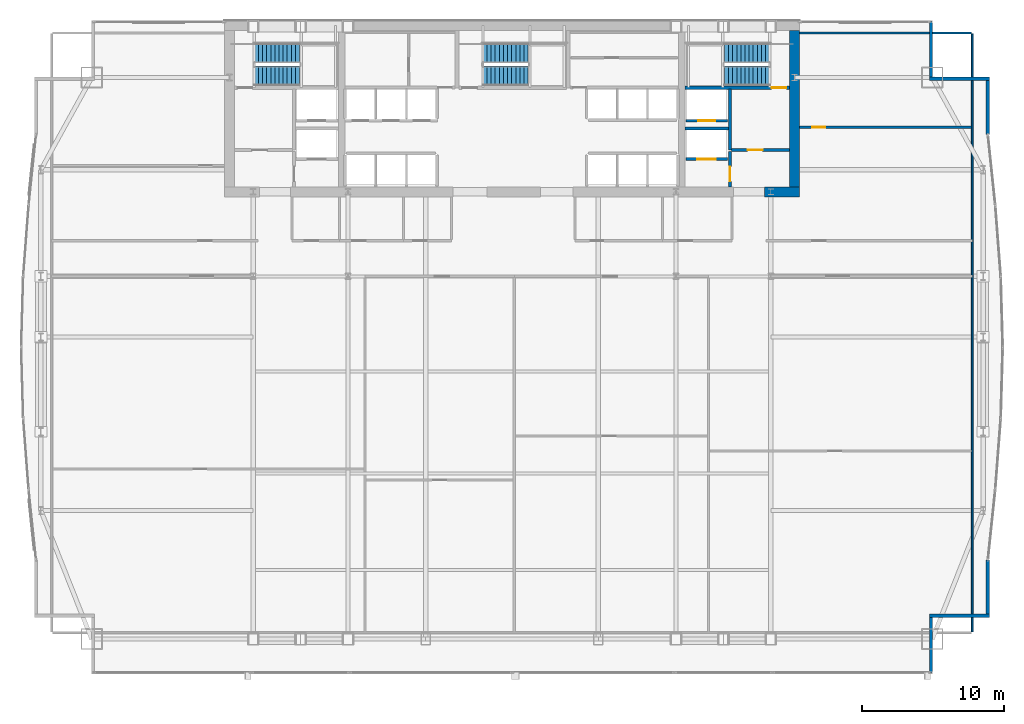
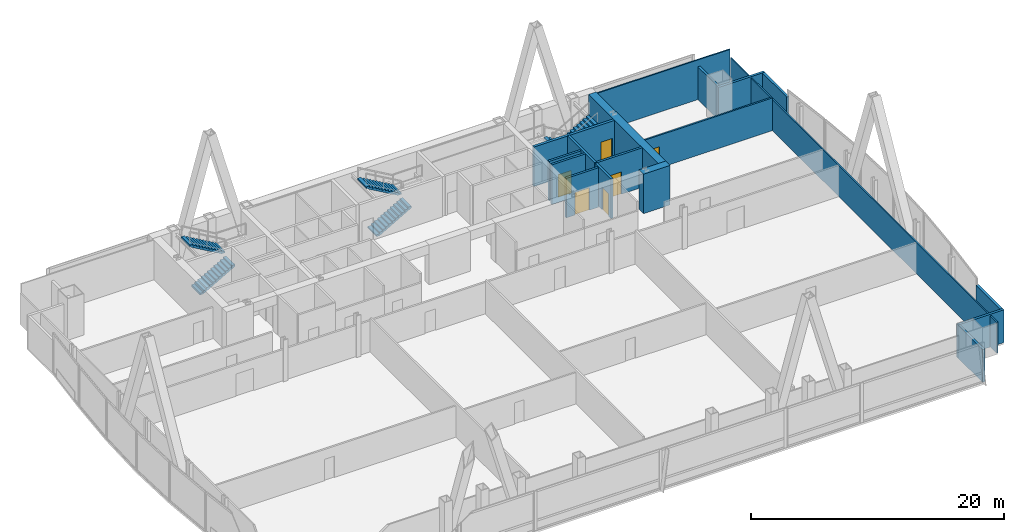
# One storey, part 30 of 32: 18 walls, 6 doors, 6 stair flights, 6 openings, 3 elements without a shape of their own.
"""IFC4 building model written with IfcOpenShell, lengths in metres."""

from ifc_helpers import new_model, si_unit, direction, frame, frame_2d, origin, place, context, subcontext, project, spatial, polyline, rectangle, outline, extrude, material, layer, layer_set, type_object, element, fill, aggregate, save


model = new_model("IFC4")

# Units and contexts
model_context = context("Model", 3, precision=1e-05, world=origin(), true_north=direction((0.0, 1.0)))
body_context = subcontext(model_context, "Body", "Model", "MODEL_VIEW")
ifc_project = project(units=[si_unit("LENGTHUNIT", "METRE"), si_unit("AREAUNIT", "SQUARE_METRE"), si_unit("VOLUMEUNIT", "CUBIC_METRE"), si_unit("PLANEANGLEUNIT", "RADIAN"), si_unit("MASSUNIT", "GRAM", prefix="KILO")], contexts=[model_context])

# Site, building, storey
site_placement = place(None, origin())
site = spatial("IfcSite", under=ifc_project, at=site_placement, CompositionType="ELEMENT")
building_placement = place(site_placement, origin())
building = spatial("IfcBuilding", under=site, at=building_placement, Name="Khoronbel Lancet Exchange", CompositionType="ELEMENT")
storey_placement = place(building_placement, frame((0.0, 0.0, 94.60009765625)))
storey = spatial("IfcBuildingStorey", under=building, at=storey_placement, Name="L22", CompositionType="ELEMENT", Elevation=94.60009765625)

# Walls
ifc_material_1 = material(Name="Concrete C80/95", Category="concrete")
ifc_layer_1 = layer(ifc_material_1, 0.699951171875, Name="Concrete C80/95")
ifc_layer_set_1 = layer_set([ifc_layer_1], Name="Concrete C80/95")
wall_type_1 = type_object("IfcWallType", Name="WL-CW2", PredefinedType="SHEAR", material=ifc_layer_set_1)
wall_1_placement = place(storey_placement, frame((56.35009765625, 53.0, 0.0), z_axis=(0.0, 0.0, 1.0), x_axis=(0.0, -1.0, 0.0)))
element("IfcWall", 1, at=wall_1_placement, inside=storey, type_object=wall_type_1, Name="Level L22 rear core east shear wall", PredefinedType="SHEAR", context=body_context, shape_type="SweptSolid", body=[
    extrude(rectangle(XDim=11.0, YDim=0.699951171875, at=frame_2d((5.5, 0.0))), origin(), (0.0, 0.0, 1.0), 3.81982421875),
])
wall_2_placement = place(storey_placement, frame((56.699951171875, 41.64990234375, 0.0), z_axis=(0.0, 0.0, 1.0), x_axis=(-1.0, 0.0, 0.0)))
element("IfcWall", 2, at=wall_2_placement, inside=storey, type_object=wall_type_1, Name="Level L22 rear core south shear wall pier P5", PredefinedType="SHEAR", context=body_context, shape_type="SweptSolid", body=[
    extrude(rectangle(XDim=2.449951171875, YDim=0.699951171875, at=frame_2d((1.22509765625, 0.0))), origin(), (0.0, 0.0, 1.0), 3.81982421875),
])
ifc_material_2 = material(Name="Precast concrete C40/50", Category="concrete")
ifc_layer_2 = layer(ifc_material_2, 0.25, Name="Precast concrete C40/50")
ifc_layer_set_2 = layer_set([ifc_layer_2], Name="Precast concrete C40/50")
wall_type_2 = type_object("IfcWallType", Name="WL-EXT250", PredefinedType="SOLIDWALL", material=ifc_layer_set_2)
wall_3_placement = place(storey_placement, frame((65.9599609375, 53.6298828125, 0.0), z_axis=(0.0, 0.0, 1.0), x_axis=(0.0, -1.0, 0.0)))
element("IfcWall", 3, at=wall_3_placement, inside=storey, type_object=wall_type_2, Name="Level L22 notched-corner limestone pier 14", PredefinedType="SOLIDWALL", context=body_context, shape_type="SweptSolid", body=[
    extrude(rectangle(XDim=3.909912109375, YDim=0.219970703125, at=frame_2d((1.955078125, 0.0))), origin(), (0.0, 0.0, 1.0), 3.159912109375),
])
wall_4_placement = place(storey_placement, frame((65.85009765625, 49.610107421875, 0.0), z_axis=(0.0, 0.0, 1.0), x_axis=(1.0, 0.0, 0.0)))
element("IfcWall", 4, at=wall_4_placement, inside=storey, type_object=wall_type_2, Name="Level L22 notched-corner limestone pier 15", PredefinedType="SOLIDWALL", context=body_context, shape_type="SweptSolid", body=[
    extrude(rectangle(XDim=4.219970703125, YDim=0.219970703125, at=frame_2d((2.10986328125, 0.0))), origin(), (0.0, 0.0, 1.0), 3.159912109375),
])
for number, where, z_axis, x_axis, name in (
    (5, (69.9599609375, 49.5, 0.0), (0.0, 0.0, 1.0), (0.0, -1.0, 0.0), "Level L22 notched-corner limestone pier 16"),
    (6, (69.9599609375, 15.724609375, 0.0), (0.0, 0.0, 1.0), (0.0, -1.0, 0.0), "Level L22 notched-corner limestone pier 23"),
):
    element("IfcWall", number, at=place(storey_placement, frame(where, z_axis=z_axis, x_axis=x_axis)), inside=storey, type_object=wall_type_2, Name=name, PredefinedType="SOLIDWALL", context=body_context, shape_type="SweptSolid", body=[
        extrude(rectangle(XDim=3.82470703125, YDim=0.219970703125, at=frame_2d((1.912353515625, 0.0))), origin(), (0.0, 0.0, 1.0), 3.159912109375),
    ])
wall_5_placement = place(storey_placement, frame((70.070068359375, 11.7900390625, 0.0), z_axis=(0.0, 0.0, 1.0), x_axis=(-1.0, 0.0, 0.0)))
element("IfcWall", 7, at=wall_5_placement, inside=storey, type_object=wall_type_2, Name="Level L22 notched-corner limestone pier 24", PredefinedType="SOLIDWALL", context=body_context, shape_type="SweptSolid", body=[
    extrude(rectangle(XDim=4.219970703125, YDim=0.219970703125, at=frame_2d((2.10986328125, 0.0))), origin(), (0.0, 0.0, 1.0), 3.159912109375),
])
wall_6_placement = place(storey_placement, frame((65.9599609375, 11.679931640625, 0.0), z_axis=(0.0, 0.0, 1.0), x_axis=(0.0, -1.0, 0.0)))
element("IfcWall", 8, at=wall_6_placement, inside=storey, type_object=wall_type_2, Name="Level L22 notched-corner limestone pier 25", PredefinedType="SOLIDWALL", context=body_context, shape_type="SweptSolid", body=[
    extrude(rectangle(XDim=3.909912109375, YDim=0.219970703125, at=frame_2d((1.955078125, 0.0))), origin(), (0.0, 0.0, 1.0), 3.159912109375),
])

# Wall, opening, door
ifc_material_3 = material(Name="Acoustic Metal-Stud & Mineral-Wool Gypsum Partition 120 mm", Category="gypsum")
ifc_layer_3 = layer(ifc_material_3, 0.1201171875, Name="Acoustic Metal-Stud & Mineral-Wool Gypsum Partition 120 mm")
ifc_layer_set_3 = layer_set([ifc_layer_3], Name="Acoustic Metal-Stud & Mineral-Wool Gypsum Partition 120 mm")
wall_type_3 = type_object("IfcWallType", Name="WL-PRT120", PredefinedType="PARTITIONING", material=ifc_layer_set_3)
wall_7_placement = place(storey_placement, frame((56.699951171875, 46.199951171875, 0.0), z_axis=(0.0, 0.0, 1.0), x_axis=(1.0, 0.0, 0.0)))
wall_7 = element("IfcWall", 9, at=wall_7_placement, inside=storey, type_object=wall_type_3, Name="Level L22 interior partition PW-NE-H", PredefinedType="PARTITIONING", context=body_context, shape_type="SweptSolid", body=[
    extrude(rectangle(XDim=12.10498046875, YDim=0.14990234375, at=frame_2d((6.052490234375, 0.0))), origin(), (0.0, 0.0, 1.0), 3.159912109375),
])
opening_1_placement = place(wall_7_placement, frame((0.89990234375, 0.0, 0.0)))
opening_1 = element("IfcOpeningElement", 10, at=opening_1_placement, cuts=wall_7, Name="Opening D5", PredefinedType="OPENING", context=body_context, shape_type="SweptSolid", body=[
    extrude(rectangle(XDim=0.89990234375, YDim=2.050048828125, at=frame_2d((0.449951171875, 1.02490234375))), frame((0.0, 0.0849609375, 0.0), z_axis=(0.0, -1.0, 0.0), x_axis=(1.0, 0.0, 0.0)), (0.0, 0.0, 1.0), 0.169921875),
])
ifc_material_4 = material(Name="Acoustic Timber Pantry & Support Door", Category="wood")
door_type_1 = type_object("IfcDoorType", Name="DR-D5", OperationType="NOTDEFINED", PredefinedType="DOOR", material=ifc_material_4)
door_1_placement = place(opening_1_placement, origin())
door_1 = element("IfcDoor", 11, at=door_1_placement, inside=storey, type_object=door_type_1, Name="NE north room door L22-1", OperationType="SINGLE_SWING_LEFT", OverallHeight=2.050048828125, OverallWidth=0.89990234375, PredefinedType="DOOR", context=body_context, shape_type="SweptSolid", body=[
    extrude(rectangle(XDim=0.89990234375, YDim=2.050048828125, at=frame_2d((0.449951171875, 1.02490234375))), frame((0.0, 0.02490234375, 0.0), z_axis=(0.0, -1.0, 0.0), x_axis=(1.0, 0.0, 0.0)), (0.0, 0.0, 1.0), 0.050048828125),
])
fill(opening_1, door_1)

# Walls
wall_8_placement = place(storey_placement, frame((68.8701171875, 10.6650390625, 0.0), z_axis=(0.0, 0.0, 1.0), x_axis=(0.0, 1.0, 0.0)))
element("IfcWall", 12, at=wall_8_placement, inside=storey, type_object=wall_type_3, Name="Level L22 interior partition PW-LIN-E", PredefinedType="PARTITIONING", context=body_context, shape_type="SweptSolid", body=[
    extrude(rectangle(XDim=42.10986328125, YDim=0.1201171875, at=frame_2d((21.054931640625, 0.0))), origin(), (0.0, 0.0, 1.0), 3.010009765625),
])
wall_9_placement = place(storey_placement, frame((56.699951171875, 52.840087890625, 0.0), z_axis=(0.0, 0.0, 1.0), x_axis=(1.0, 0.0, 0.0)))
element("IfcWall", 13, at=wall_9_placement, inside=storey, type_object=wall_type_3, Name="Level L22 interior partition PW-LIN-NE", PredefinedType="PARTITIONING", context=body_context, shape_type="SweptSolid", body=[
    extrude(rectangle(XDim=12.10498046875, YDim=0.1201171875, at=frame_2d((6.052490234375, 0.0))), origin(), (0.0, 0.0, 1.0), 3.81982421875),
])

# Wall, opening, door
ifc_material_5 = material(Name="Autoclaved Aerated Concrete Blockwork 200 mm", Category="masonry")
ifc_layer_4 = layer(ifc_material_5, 0.199951171875, Name="Autoclaved Aerated Concrete Blockwork 200 mm")
ifc_layer_set_4 = layer_set([ifc_layer_4], Name="Autoclaved Aerated Concrete Blockwork 200 mm")
wall_type_4 = type_object("IfcWallType", Name="WL-PRT200", PredefinedType="PARTITIONING", material=ifc_layer_set_4)
wall_10_placement = place(storey_placement, frame((51.610107421875, 43.949951171875, 0.0), z_axis=(0.0, 0.0, 1.0), x_axis=(-1.0, 0.0, 0.0)))
wall_10 = element("IfcWall", 14, at=wall_10_placement, inside=storey, type_object=wall_type_4, Name="Level L22 elevator hoistway landing front wall SVLE", PredefinedType="PARTITIONING", context=body_context, shape_type="SweptSolid", body=[
    extrude(rectangle(XDim=2.920166015625, YDim=0.199951171875, at=frame_2d((1.4599609375, 0.0))), origin(), (0.0, 0.0, 1.0), 3.81982421875),
])
opening_2_placement = place(wall_10_placement, frame((0.81005859375, 0.0, 0.0)))
opening_2 = element("IfcOpeningElement", 15, at=opening_2_placement, cuts=wall_10, Name="Opening LD-SVL2", PredefinedType="OPENING", context=body_context, shape_type="SweptSolid", body=[
    extrude(rectangle(XDim=1.300048828125, YDim=2.179931640625, at=frame_2d((0.64990234375, 1.08984375))), frame((0.0, 0.10986328125, 0.0), z_axis=(0.0, -1.0, 0.0), x_axis=(1.0, 0.0, 0.0)), (0.0, 0.0, 1.0), 0.219970703125),
])
ifc_material_6 = material(Name="Heavy-Duty Bi-Parting Goods Lift Landing Door", Category="steel")
door_type_2 = type_object("IfcDoorType", Name="DR-LD-SVL", OperationType="NOTDEFINED", PredefinedType="DOOR", material=ifc_material_6)
door_2_placement = place(opening_2_placement, origin())
door_2 = element("IfcDoor", 16, at=door_2_placement, inside=storey, type_object=door_type_2, Name="Elevator landing sliding door LD-SVL2 L22", OperationType="SLIDING_TO_LEFT", OverallHeight=2.179931640625, OverallWidth=1.300048828125, PredefinedType="DOOR", context=body_context, shape_type="SweptSolid", body=[
    extrude(rectangle(XDim=1.300048828125, YDim=2.179931640625, at=frame_2d((0.64990234375, 1.08984375))), frame((0.0, 0.02490234375, 0.0), z_axis=(0.0, -1.0, 0.0), x_axis=(1.0, 0.0, 0.0)), (0.0, 0.0, 1.0), 0.050048828125),
])
fill(opening_2, door_2)

wall_11_placement = place(storey_placement, frame((51.610107421875, 46.64990234375, 0.0), z_axis=(0.0, 0.0, 1.0), x_axis=(-1.0, 0.0, 0.0)))
wall_11 = element("IfcWall", 17, at=wall_11_placement, inside=storey, type_object=wall_type_4, Name="Level L22 elevator hoistway landing front wall FFLE", PredefinedType="PARTITIONING", context=body_context, shape_type="SweptSolid", body=[
    extrude(rectangle(XDim=2.920166015625, YDim=0.199951171875, at=frame_2d((1.4599609375, 0.0))), origin(), (0.0, 0.0, 1.0), 3.81982421875),
])
opening_3_placement = place(wall_11_placement, frame((0.860107421875, 0.0, 0.0)))
opening_3 = element("IfcOpeningElement", 18, at=opening_3_placement, cuts=wall_11, Name="Opening LD-FFL2", PredefinedType="OPENING", context=body_context, shape_type="SweptSolid", body=[
    extrude(rectangle(XDim=1.199951171875, YDim=2.179931640625, at=frame_2d((0.60009765625, 1.08984375))), frame((0.0, 0.10986328125, 0.0), z_axis=(0.0, -1.0, 0.0), x_axis=(1.0, 0.0, 0.0)), (0.0, 0.0, 1.0), 0.219970703125),
])
ifc_material_7 = material(Name="Fire-Rated Stainless Bi-Parting Firefighting Lift Door", Category="steel")
door_type_3 = type_object("IfcDoorType", Name="DR-LD-FFL", OperationType="NOTDEFINED", PredefinedType="DOOR", material=ifc_material_7)
door_3_placement = place(opening_3_placement, origin())
door_3 = element("IfcDoor", 19, at=door_3_placement, inside=storey, type_object=door_type_3, Name="Elevator landing sliding door LD-FFL2 L22", OperationType="SLIDING_TO_LEFT", OverallHeight=2.179931640625, OverallWidth=1.199951171875, PredefinedType="DOOR", context=body_context, shape_type="SweptSolid", body=[
    extrude(rectangle(XDim=1.199951171875, YDim=2.179931640625, at=frame_2d((0.60009765625, 1.08984375))), frame((0.0, 0.02490234375, 0.0), z_axis=(0.0, -1.0, 0.0), x_axis=(1.0, 0.0, 0.0)), (0.0, 0.0, 1.0), 0.050048828125),
])
fill(opening_3, door_3)

# Wall
wall_12_placement = place(storey_placement, frame((51.800048828125, 44.60009765625, 0.0), z_axis=(0.0, 0.0, 1.0), x_axis=(0.0, 1.0, 0.0)))
element("IfcWall", 20, at=wall_12_placement, inside=storey, type_object=wall_type_4, Name="Level L22 interior partition CW-FFLE-W", PredefinedType="PARTITIONING", context=body_context, shape_type="SweptSolid", body=[
    extrude(rectangle(XDim=4.2998046875, YDim=0.199951171875, at=frame_2d((2.14990234375, 0.0))), origin(), (0.0, 0.0, 1.0), 3.81982421875),
])

# Wall, opening, door
wall_13_placement = place(storey_placement, frame((51.89990234375, 44.60009765625, 0.0), z_axis=(0.0, 0.0, 1.0), x_axis=(1.0, 0.0, 0.0)))
wall_13 = element("IfcWall", 21, at=wall_13_placement, inside=storey, type_object=wall_type_4, Name="Level L22 interior partition CW-FFLE-S", PredefinedType="PARTITIONING", context=body_context, shape_type="SweptSolid", body=[
    extrude(rectangle(XDim=4.10009765625, YDim=0.199951171875, at=frame_2d((2.050048828125, 0.0))), origin(), (0.0, 0.0, 1.0), 3.81982421875),
])
opening_4_placement = place(wall_13_placement, frame((1.14990234375, 0.0, 0.0)))
opening_4 = element("IfcOpeningElement", 22, at=opening_4_placement, cuts=wall_13, Name="Opening FD1", PredefinedType="OPENING", context=body_context, shape_type="SweptSolid", body=[
    extrude(rectangle(XDim=1.050048828125, YDim=2.14990234375, at=frame_2d((0.52490234375, 1.074951171875))), frame((0.0, 0.10986328125, 0.0), z_axis=(0.0, -1.0, 0.0), x_axis=(1.0, 0.0, 0.0)), (0.0, 0.0, 1.0), 0.219970703125),
])
ifc_material_8 = material(Name="Fire-Rated Painted Steel Door Assembly", Category="steel")
door_type_4 = type_object("IfcDoorType", Name="DR-FD1", OperationType="NOTDEFINED", PredefinedType="DOOR", material=ifc_material_8)
door_4_placement = place(opening_4_placement, origin())
door_4 = element("IfcDoor", 23, at=door_4_placement, inside=storey, type_object=door_type_4, Name="East firefighting lobby FD90S door L22-1", OperationType="SINGLE_SWING_LEFT", OverallHeight=2.14990234375, OverallWidth=1.050048828125, PredefinedType="DOOR", context=body_context, shape_type="SweptSolid", body=[
    extrude(rectangle(XDim=1.050048828125, YDim=2.14990234375, at=frame_2d((0.52490234375, 1.074951171875))), frame((0.0, 0.02490234375, 0.0), z_axis=(0.0, -1.0, 0.0), x_axis=(1.0, 0.0, 0.0)), (0.0, 0.0, 1.0), 0.050048828125),
])
fill(opening_4, door_4)

# Wall
wall_14_placement = place(storey_placement, frame((48.6298828125, 46.1201171875, 0.0), z_axis=(0.0, 0.0, 1.0), x_axis=(1.0, 0.0, 0.0)))
element("IfcWall", 24, at=wall_14_placement, inside=storey, type_object=wall_type_4, Name="Level L22 interior partition CW-FFL2-S", PredefinedType="PARTITIONING", context=body_context, shape_type="SweptSolid", body=[
    extrude(rectangle(XDim=3.070068359375, YDim=0.199951171875, at=frame_2d((1.53515625, 0.0))), origin(), (0.0, 0.0, 1.0), 3.81982421875),
])

# Wall, opening, door
wall_15_placement = place(storey_placement, frame((51.800048828125, 42.0, 0.0), z_axis=(0.0, 0.0, 1.0), x_axis=(0.0, 1.0, 0.0)))
wall_15 = element("IfcWall", 25, at=wall_15_placement, inside=storey, type_object=wall_type_4, Name="Level L22 interior partition CW-SVLE-E", PredefinedType="PARTITIONING", context=body_context, shape_type="SweptSolid", body=[
    extrude(rectangle(XDim=2.4951171875, YDim=0.199951171875, at=frame_2d((1.24755859375, 0.0))), origin(), (0.0, 0.0, 1.0), 3.81982421875),
])
opening_5_placement = place(wall_15_placement, frame((0.3798828125, 0.0, 0.0)))
opening_5 = element("IfcOpeningElement", 26, at=opening_5_placement, cuts=wall_15, Name="Opening FD1", PredefinedType="OPENING", context=body_context, shape_type="SweptSolid", body=[
    extrude(rectangle(XDim=1.050048828125, YDim=2.14990234375, at=frame_2d((0.52490234375, 1.074951171875))), frame((0.0, 0.10986328125, 0.0), z_axis=(0.0, -1.0, 0.0), x_axis=(1.0, 0.0, 0.0)), (0.0, 0.0, 1.0), 0.219970703125),
])
door_5_placement = place(opening_5_placement, origin())
door_5 = element("IfcDoor", 27, at=door_5_placement, inside=storey, type_object=door_type_4, Name="East service lift lobby door L22-1", OperationType="SINGLE_SWING_RIGHT", OverallHeight=2.14990234375, OverallWidth=1.050048828125, PredefinedType="DOOR", context=body_context, shape_type="SweptSolid", body=[
    extrude(rectangle(XDim=1.050048828125, YDim=2.14990234375, at=frame_2d((0.52490234375, 1.074951171875))), frame((0.0, 0.02490234375, 0.0), z_axis=(0.0, -1.0, 0.0), x_axis=(1.0, 0.0, 0.0)), (0.0, 0.0, 1.0), 0.050048828125),
])
fill(opening_5, door_5)

ifc_material_9 = material(Name="Concrete C60/75", Category="concrete")
ifc_layer_5 = layer(ifc_material_9, 0.260009765625, Name="Concrete C60/75")
ifc_layer_set_5 = layer_set([ifc_layer_5], Name="Concrete C60/75")
wall_type_5 = type_object("IfcWallType", Name="WL-SW3", PredefinedType="SHEAR", material=ifc_layer_set_5)
wall_16_placement = place(storey_placement, frame((48.6298828125, 48.97998046875, 0.0), z_axis=(0.0, 0.0, 1.0), x_axis=(1.0, 0.0, 0.0)))
wall_16 = element("IfcWall", 28, at=wall_16_placement, inside=storey, type_object=wall_type_5, Name="Level L22 east stairwell structural south wall", PredefinedType="SHEAR", context=body_context, shape_type="SweptSolid", body=[
    extrude(rectangle(XDim=7.3701171875, YDim=0.239990234375, at=frame_2d((3.68505859375, 0.0))), origin(), (0.0, 0.0, 1.0), 3.81982421875),
])
opening_6_placement = place(wall_16_placement, frame((6.10009765625, 0.0, 0.0)))
opening_6 = element("IfcOpeningElement", 29, at=opening_6_placement, cuts=wall_16, Name="Opening SD1", PredefinedType="OPENING", context=body_context, shape_type="SweptSolid", body=[
    extrude(rectangle(XDim=1.050048828125, YDim=2.14990234375, at=frame_2d((0.52490234375, 1.074951171875))), frame((0.0, 0.1298828125, 0.0), z_axis=(0.0, -1.0, 0.0), x_axis=(1.0, 0.0, 0.0)), (0.0, 0.0, 1.0), 0.260009765625),
])
ifc_material_10 = material(Name="Fire-Rated Steel Stairwell Door Assembly", Category="steel")
door_type_5 = type_object("IfcDoorType", Name="DR-SD1", OperationType="NOTDEFINED", PredefinedType="DOOR", material=ifc_material_10)
door_6_placement = place(opening_6_placement, origin())
door_6 = element("IfcDoor", 30, at=door_6_placement, inside=storey, type_object=door_type_5, Name="Protected exit stair ST2 door L22", OperationType="SINGLE_SWING_RIGHT", OverallHeight=2.14990234375, OverallWidth=1.050048828125, PredefinedType="DOOR", context=body_context, shape_type="SweptSolid", body=[
    extrude(rectangle(XDim=1.050048828125, YDim=2.14990234375, at=frame_2d((0.52490234375, 1.074951171875))), frame((0.0, 0.02490234375, 0.0), z_axis=(0.0, -1.0, 0.0), x_axis=(1.0, 0.0, 0.0)), (0.0, 0.0, 1.0), 0.050048828125),
])
fill(opening_6, door_6)

# Stair, stair flights
ifc_material_11 = material(Name="Concrete C40/50", Category="concrete")
stair_type = type_object("IfcStairType", Name="STR-CORE150", PredefinedType="HALF_TURN_STAIR", material=ifc_material_11)
stair_1_placement = place(storey_placement, origin())
stair_1 = element("IfcStair", 31, at=stair_1_placement, inside=storey, type_object=stair_type, Name="L22 Protected Exit Stair ST1", PredefinedType="HALF_TURN_STAIR")
stair_flight_type = type_object("IfcStairFlightType", Name="STF-150", PredefinedType="STRAIGHT", material=ifc_material_11)
stair_flight_1_placement = place(storey_placement, frame((18.300048828125, 49.81005859375, 0.0), z_axis=(0.0, 0.0, 1.0), x_axis=(1.0, 0.0, 0.0)))
stair_flight_1 = element("IfcStairFlight", 32, at=stair_flight_1_placement, type_object=stair_flight_type, Name="ST1 flight 1", NumberOfRisers=12, NumberOfTreads=11, PredefinedType="STRAIGHT", RiserHeight=0.166666667, TreadLength=0.29, context=body_context, shape_type="SweptSolid", body=[
    extrude(outline(polyline([(0.0, 0.0), (0.0, 0.166748046875), (0.2900390625, 0.166748046875), (0.2900390625, 0.333251953125), (0.580078125, 0.333251953125), (0.580078125, 0.5), (0.8701171875, 0.5), (0.8701171875, 0.666748046875), (1.159912109375, 0.666748046875), (1.159912109375, 0.833251953125), (1.449951171875, 0.833251953125), (1.449951171875, 1.0), (1.739990234375, 1.0), (1.739990234375, 1.166748046875), (2.030029296875, 1.166748046875), (2.030029296875, 1.333251953125), (2.320068359375, 1.333251953125), (2.320068359375, 1.5), (2.610107421875, 1.5), (2.610107421875, 1.666748046875), (2.89990234375, 1.666748046875), (2.89990234375, 1.833251953125), (3.18994140625, 1.833251953125), (3.18994140625, 2.0), (3.18994140625, 1.660400390625), (0.30078125, 0.0), (0.0, 0.0)])), frame((0.0, 0.68994140625, 0.0), z_axis=(0.0, -1.0, 0.0), x_axis=(1.0, 0.0, 0.0)), (0.0, 0.0, 1.0), 1.3798828125),
])
stair_flight_2_placement = place(storey_placement, frame((21.489990234375, 51.409912109375, 2.0), z_axis=(0.0, 0.0, 1.0), x_axis=(-1.0, 0.0, 0.0)))
stair_flight_2 = element("IfcStairFlight", 33, at=stair_flight_2_placement, type_object=stair_flight_type, Name="ST1 flight 2", NumberOfRisers=12, NumberOfTreads=11, PredefinedType="STRAIGHT", RiserHeight=0.166666667, TreadLength=0.29, context=body_context, shape_type="SweptSolid", body=[
    extrude(outline(polyline([(0.0, 0.0), (0.0, 0.166748046875), (0.2900390625, 0.166748046875), (0.2900390625, 0.333251953125), (0.580078125, 0.333251953125), (0.580078125, 0.5), (0.8701171875, 0.5), (0.8701171875, 0.666748046875), (1.159912109375, 0.666748046875), (1.159912109375, 0.833251953125), (1.449951171875, 0.833251953125), (1.449951171875, 1.0), (1.739990234375, 1.0), (1.739990234375, 1.166748046875), (2.030029296875, 1.166748046875), (2.030029296875, 1.333251953125), (2.320068359375, 1.333251953125), (2.320068359375, 1.5), (2.610107421875, 1.5), (2.610107421875, 1.666748046875), (2.89990234375, 1.666748046875), (2.89990234375, 1.833251953125), (3.18994140625, 1.833251953125), (3.18994140625, 2.0), (3.18994140625, 1.660400390625), (0.30078125, 0.0), (0.0, 0.0)])), frame((0.0, 0.68994140625, 0.0), z_axis=(0.0, -1.0, 0.0), x_axis=(1.0, 0.0, 0.0)), (0.0, 0.0, 1.0), 1.3798828125),
])
aggregate(stair_1, [stair_flight_1, stair_flight_2])

stair_2_placement = place(storey_placement, origin())
stair_2 = element("IfcStair", 34, at=stair_2_placement, inside=storey, type_object=stair_type, Name="L22 Protected Exit Stair ST2", PredefinedType="HALF_TURN_STAIR")
stair_flight_3_placement = place(storey_placement, frame((54.60009765625, 51.409912109375, 0.0), z_axis=(0.0, 0.0, 1.0), x_axis=(-1.0, 0.0, 0.0)))
stair_flight_3 = element("IfcStairFlight", 35, at=stair_flight_3_placement, type_object=stair_flight_type, Name="ST2 flight 1", NumberOfRisers=12, NumberOfTreads=11, PredefinedType="STRAIGHT", RiserHeight=0.166666667, TreadLength=0.29, context=body_context, shape_type="SweptSolid", body=[
    extrude(outline(polyline([(0.0, 0.0), (0.0, 0.166748046875), (0.2900390625, 0.166748046875), (0.2900390625, 0.333251953125), (0.580078125, 0.333251953125), (0.580078125, 0.5), (0.8701171875, 0.5), (0.8701171875, 0.666748046875), (1.159912109375, 0.666748046875), (1.159912109375, 0.833251953125), (1.449951171875, 0.833251953125), (1.449951171875, 1.0), (1.739990234375, 1.0), (1.739990234375, 1.166748046875), (2.030029296875, 1.166748046875), (2.030029296875, 1.333251953125), (2.320068359375, 1.333251953125), (2.320068359375, 1.5), (2.610107421875, 1.5), (2.610107421875, 1.666748046875), (2.89990234375, 1.666748046875), (2.89990234375, 1.833251953125), (3.18994140625, 1.833251953125), (3.18994140625, 2.0), (3.18994140625, 1.660400390625), (0.30078125, 0.0), (0.0, 0.0)])), frame((0.0, 0.68994140625, 0.0), z_axis=(0.0, -1.0, 0.0), x_axis=(1.0, 0.0, 0.0)), (0.0, 0.0, 1.0), 1.3798828125),
])
stair_flight_4_placement = place(storey_placement, frame((51.409912109375, 49.81005859375, 2.0), z_axis=(0.0, 0.0, 1.0), x_axis=(1.0, 0.0, 0.0)))
stair_flight_4 = element("IfcStairFlight", 36, at=stair_flight_4_placement, type_object=stair_flight_type, Name="ST2 flight 2", NumberOfRisers=12, NumberOfTreads=11, PredefinedType="STRAIGHT", RiserHeight=0.166666667, TreadLength=0.29, context=body_context, shape_type="SweptSolid", body=[
    extrude(outline(polyline([(0.0, 0.0), (0.0, 0.166748046875), (0.2900390625, 0.166748046875), (0.2900390625, 0.333251953125), (0.580078125, 0.333251953125), (0.580078125, 0.5), (0.8701171875, 0.5), (0.8701171875, 0.666748046875), (1.159912109375, 0.666748046875), (1.159912109375, 0.833251953125), (1.449951171875, 0.833251953125), (1.449951171875, 1.0), (1.739990234375, 1.0), (1.739990234375, 1.166748046875), (2.030029296875, 1.166748046875), (2.030029296875, 1.333251953125), (2.320068359375, 1.333251953125), (2.320068359375, 1.5), (2.610107421875, 1.5), (2.610107421875, 1.666748046875), (2.89990234375, 1.666748046875), (2.89990234375, 1.833251953125), (3.18994140625, 1.833251953125), (3.18994140625, 2.0), (3.18994140625, 1.660400390625), (0.30078125, 0.0), (0.0, 0.0)])), frame((0.0, 0.68994140625, 0.0), z_axis=(0.0, -1.0, 0.0), x_axis=(1.0, 0.0, 0.0)), (0.0, 0.0, 1.0), 1.3798828125),
])
aggregate(stair_2, [stair_flight_3, stair_flight_4])

stair_3_placement = place(storey_placement, origin())
stair_3 = element("IfcStair", 37, at=stair_3_placement, inside=storey, type_object=stair_type, Name="L22 Protected Exit Stair ST3", PredefinedType="HALF_TURN_STAIR")
stair_flight_5_placement = place(storey_placement, frame((34.39990234375, 49.81005859375, 0.0), z_axis=(0.0, 0.0, 1.0), x_axis=(1.0, 0.0, 0.0)))
stair_flight_5 = element("IfcStairFlight", 38, at=stair_flight_5_placement, type_object=stair_flight_type, Name="ST3 flight 1", NumberOfRisers=12, NumberOfTreads=11, PredefinedType="STRAIGHT", RiserHeight=0.166666667, TreadLength=0.29, context=body_context, shape_type="SweptSolid", body=[
    extrude(outline(polyline([(0.0, 0.0), (0.0, 0.166748046875), (0.2900390625, 0.166748046875), (0.2900390625, 0.333251953125), (0.580078125, 0.333251953125), (0.580078125, 0.5), (0.8701171875, 0.5), (0.8701171875, 0.666748046875), (1.159912109375, 0.666748046875), (1.159912109375, 0.833251953125), (1.449951171875, 0.833251953125), (1.449951171875, 1.0), (1.739990234375, 1.0), (1.739990234375, 1.166748046875), (2.030029296875, 1.166748046875), (2.030029296875, 1.333251953125), (2.320068359375, 1.333251953125), (2.320068359375, 1.5), (2.610107421875, 1.5), (2.610107421875, 1.666748046875), (2.89990234375, 1.666748046875), (2.89990234375, 1.833251953125), (3.18994140625, 1.833251953125), (3.18994140625, 2.0), (3.18994140625, 1.660400390625), (0.30078125, 0.0), (0.0, 0.0)])), frame((0.0, 0.68994140625, 0.0), z_axis=(0.0, -1.0, 0.0), x_axis=(1.0, 0.0, 0.0)), (0.0, 0.0, 1.0), 1.3798828125),
])
stair_flight_6_placement = place(storey_placement, frame((37.590087890625, 51.409912109375, 2.0), z_axis=(0.0, 0.0, 1.0), x_axis=(-1.0, 0.0, 0.0)))
stair_flight_6 = element("IfcStairFlight", 39, at=stair_flight_6_placement, type_object=stair_flight_type, Name="ST3 flight 2", NumberOfRisers=12, NumberOfTreads=11, PredefinedType="STRAIGHT", RiserHeight=0.166666667, TreadLength=0.29, context=body_context, shape_type="SweptSolid", body=[
    extrude(outline(polyline([(0.0, 0.0), (0.0, 0.166748046875), (0.2900390625, 0.166748046875), (0.2900390625, 0.333251953125), (0.580078125, 0.333251953125), (0.580078125, 0.5), (0.8701171875, 0.5), (0.8701171875, 0.666748046875), (1.159912109375, 0.666748046875), (1.159912109375, 0.833251953125), (1.449951171875, 0.833251953125), (1.449951171875, 1.0), (1.739990234375, 1.0), (1.739990234375, 1.166748046875), (2.030029296875, 1.166748046875), (2.030029296875, 1.333251953125), (2.320068359375, 1.333251953125), (2.320068359375, 1.5), (2.610107421875, 1.5), (2.610107421875, 1.666748046875), (2.89990234375, 1.666748046875), (2.89990234375, 1.833251953125), (3.18994140625, 1.833251953125), (3.18994140625, 2.0), (3.18994140625, 1.660400390625), (0.30078125, 0.0), (0.0, 0.0)])), frame((0.0, 0.68994140625, 0.0), z_axis=(0.0, -1.0, 0.0), x_axis=(1.0, 0.0, 0.0)), (0.0, 0.0, 1.0), 1.3798828125),
])
aggregate(stair_3, [stair_flight_5, stair_flight_6])

save(model, "model.ifc")
